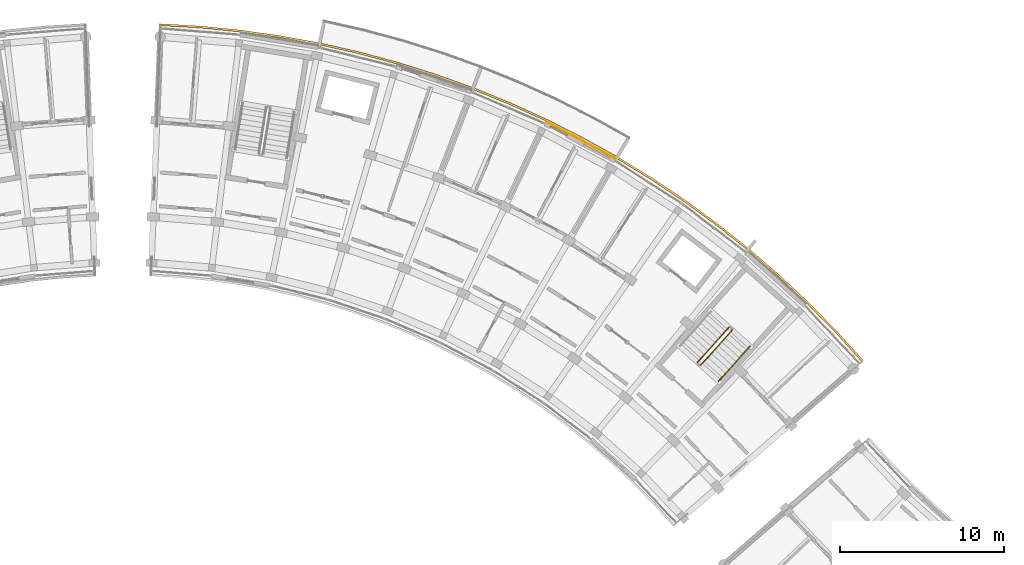
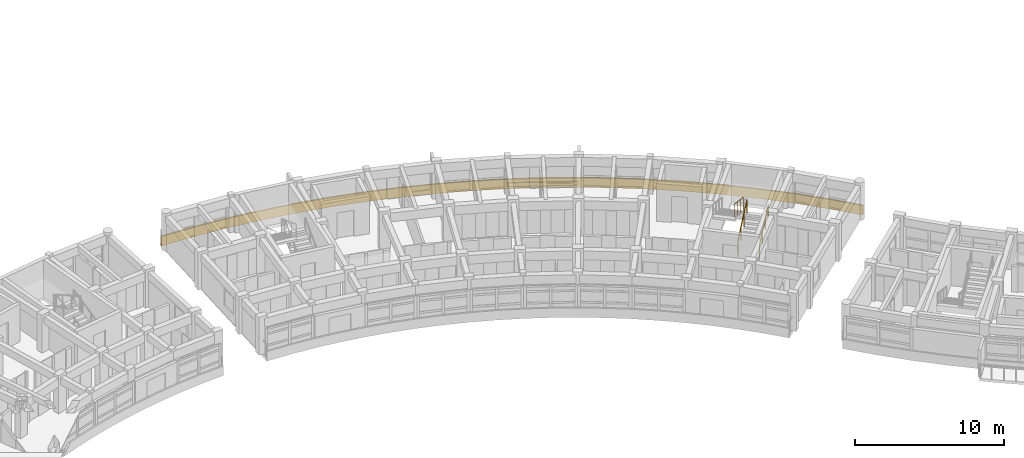
# One storey, part 49 of 50: 4 railings, 1 covering.
"""IFC4 building model written with IfcOpenShell, lengths in metres."""

from ifc_helpers import new_model, si_unit, direction, frame, origin, origin_2d, place, context, subcontext, project, spatial, polyline, rectangle, circle, outline, extrude, material, layer, layer_set, type_object, element, save


model = new_model("IFC4")

# Units and contexts
model_context = context("Model", 3, precision=1e-05, world=origin(), true_north=direction((0.0, 1.0)))
body_context = subcontext(model_context, "Body", "Model", "MODEL_VIEW")
ifc_project = project(units=[si_unit("LENGTHUNIT", "METRE"), si_unit("AREAUNIT", "SQUARE_METRE"), si_unit("VOLUMEUNIT", "CUBIC_METRE"), si_unit("PLANEANGLEUNIT", "RADIAN"), si_unit("MASSUNIT", "GRAM", prefix="KILO")], contexts=[model_context])

# Site, building, storey
site_placement = place(None, origin())
site = spatial("IfcSite", under=ifc_project, at=site_placement, CompositionType="ELEMENT")
building_placement = place(site_placement, origin())
building = spatial("IfcBuilding", under=site, at=building_placement, Name="Zimvara Arc Housing Community", CompositionType="ELEMENT")
storey_placement = place(building_placement, frame((0.0, 0.0, 26.699951171875)))
storey = spatial("IfcBuildingStorey", under=building, at=storey_placement, Name="L08", CompositionType="ELEMENT", Elevation=26.699951171875)

# Covering
ifc_material_1 = material(Name="Pale-Gold Anodised Aluminium Cladding", Category="aluminium")
ifc_layer = layer(ifc_material_1, 0.044921875)
ifc_layer_set = layer_set([ifc_layer], Name="Pale-Gold Anodised Aluminium Cladding")
covering_type = type_object("IfcCoveringType", Name="CLD-GOLD-02", PredefinedType="CLADDING", material=ifc_layer_set)
covering_placement = place(storey_placement, frame((72.86669921875, 97.04248046875, 0.01025390625), z_axis=(0.0, 0.0, 1.0), x_axis=(0.88343873811, -0.468546684981, 0.0)))
element("IfcCovering", 1, at=covering_placement, inside=storey, type_object=covering_type, Name="cld:blkB:L08:out:b5", PredefinedType="CLADDING", context=body_context, shape_type="SweptSolid", body=[
    extrude(rectangle(XDim=4.748779296875, YDim=0.044921875, at=origin_2d()), origin(), (0.0, 0.0, 1.0), 0.300048828125),
])

# Railings
ifc_material_2 = material(Name="Anodised Aluminium AW-6063", Category="aluminium")
railing_type_1 = type_object("IfcRailingType", Name="RLG-BAL-1120", PredefinedType="BALUSTRADE", material=ifc_material_2)
railing_1_placement = place(storey_placement, frame((80.1455078125, 83.365966796875, 0.155029296875)))
element("IfcRailing", 2, at=railing_1_placement, inside=storey, type_object=railing_type_1, Name="L08 ST-B2 stair guard 1", PredefinedType="BALUSTRADE", context=body_context, shape_type="SweptSolid", body=[
    extrude(circle(Radius=0.02392578125, at=origin_2d()), frame((0.0, 0.0, 1.09619140625), z_axis=(0.601231728384, 0.668248248038, 0.438137749775), x_axis=(-0.743400174344, 0.668846903847, 0.0)), (0.0, 0.0, 1.0), 3.18408203125),
    extrude(circle(Radius=0.02099609375, at=origin_2d()), origin(), (0.0, 0.0, 1.0), 1.072021484375),
    extrude(circle(Radius=0.02099609375, at=origin_2d()), frame((0.63818359375, 0.709228515625, 0.465087890625)), (0.0, 0.0, 1.0), 1.072021484375),
    extrude(circle(Radius=0.02099609375, at=origin_2d()), frame((1.276123046875, 1.41845703125, 0.929931640625)), (0.0, 0.0, 1.0), 1.072021484375),
    extrude(circle(Radius=0.02099609375, at=origin_2d()), frame((1.914306640625, 2.127685546875, 1.39501953125)), (0.0, 0.0, 1.0), 1.072021484375),
])
railing_2_placement = place(storey_placement, frame((81.866455078125, 85.66748046875, 1.705078125)))
element("IfcRailing", 3, at=railing_2_placement, inside=storey, type_object=railing_type_1, Name="L08 ST-B2 stair guard 3", PredefinedType="BALUSTRADE", context=body_context, shape_type="SweptSolid", body=[
    extrude(circle(Radius=0.02392578125, at=origin_2d()), frame((0.0, 0.0, 1.09619140625), z_axis=(-0.601262536038, -0.668205807809, 0.438160200347), x_axis=(0.743362010683, -0.668889319, 0.0)), (0.0, 0.0, 1.0), 3.183837890625),
    extrude(circle(Radius=0.02099609375, at=origin_2d()), origin(), (0.0, 0.0, 1.0), 1.072021484375),
    extrude(circle(Radius=0.02099609375, at=origin_2d()), frame((-0.63818359375, -0.709228515625, 0.465087890625)), (0.0, 0.0, 1.0), 1.072021484375),
    extrude(circle(Radius=0.02099609375, at=origin_2d()), frame((-1.276123046875, -1.418212890625, 0.929931640625)), (0.0, 0.0, 1.0), 1.072021484375),
    extrude(circle(Radius=0.02099609375, at=origin_2d()), frame((-1.914306640625, -2.12744140625, 1.39501953125)), (0.0, 0.0, 1.0), 1.072021484375),
])
ifc_material_3 = material(Name="Pale-Gold Anodised Aluminium AW-6063", Category="aluminium")
railing_type_2 = type_object("IfcRailingType", Name="RLG-FAS-780", PredefinedType="BALUSTRADE", material=ifc_material_3)
railing_3_placement = place(storey_placement, frame((0.0, 0.0, -0.219970703125)))
element("IfcRailing", 4, at=railing_3_placement, inside=storey, type_object=railing_type_2, Name="rlg:blkB:L08:gold_out", PredefinedType="BALUSTRADE", context=body_context, shape_type="SweptSolid", body=[
    extrude(outline(polyline([(47.286376953125, 104.01611328125), (49.71435546875, 103.873046875), (52.134765625, 103.631103515625), (54.54296875, 103.29052734375), (56.935546875, 102.851806640625), (59.307861328125, 102.31591796875), (61.65673828125, 101.68359375), (63.9775390625, 100.955810546875), (66.266845703125, 100.1337890625), (68.5205078125, 99.218994140625), (70.735107421875, 98.213134765625), (72.90673828125, 97.11767578125), (75.03173828125, 95.934326171875), (77.106689453125, 94.665283203125), (79.128173828125, 93.3125), (81.0927734375, 91.87841796875), (82.9970703125, 90.365234375), (84.837890625, 88.775634765625), (86.612548828125, 87.112060546875), (88.317626953125, 85.377685546875), (89.950439453125, 83.574951171875), (90.041015625, 83.653564453125), (88.40478515625, 85.4599609375), (86.6962890625, 87.197998046875), (84.918212890625, 88.86474609375), (83.073486328125, 90.457763671875), (81.165283203125, 91.973876953125), (79.197021484375, 93.410888671875), (77.17138671875, 94.766357421875), (75.09228515625, 96.037841796875), (72.962890625, 97.2236328125), (70.786865234375, 98.3212890625), (68.56787109375, 99.329345703125), (66.3095703125, 100.245849609375), (64.015625, 101.069580078125), (61.690185546875, 101.798583984375), (59.3369140625, 102.432373046875), (56.95947265625, 102.969482421875), (54.562255859375, 103.408935546875), (52.149169921875, 103.750244140625), (49.723876953125, 103.99267578125), (47.291015625, 104.135986328125), (47.286376953125, 104.01611328125)])), origin(), (0.0, 0.0, 1.0), 0.780029296875),
])
ifc_material_4 = material(Name="Anodised Aluminium AW-6063", Category="aluminium")
railing_type_3 = type_object("IfcRailingType", Name="RLG-HND-900", PredefinedType="HANDRAIL", material=ifc_material_4)
railing_4_placement = place(storey_placement, frame((81.230712890625, 82.389404296875, 0.155029296875)))
element("IfcRailing", 5, at=railing_4_placement, inside=storey, type_object=railing_type_3, Name="L08 ST-B2 stair handrail 1", PredefinedType="HANDRAIL", context=body_context, shape_type="SweptSolid", body=[
    extrude(circle(Radius=0.02392578125, at=origin_2d()), frame((0.0, 0.0, 0.8759765625), z_axis=(0.601231728384, 0.668248248038, 0.438137749775), x_axis=(-0.743400174344, 0.668846903847, 0.0)), (0.0, 0.0, 1.0), 3.18408203125),
    extrude(circle(Radius=0.02099609375, at=origin_2d()), origin(), (0.0, 0.0, 1.0), 0.851806640625),
    extrude(circle(Radius=0.02099609375, at=origin_2d()), frame((0.63818359375, 0.709228515625, 0.465087890625)), (0.0, 0.0, 1.0), 0.851806640625),
    extrude(circle(Radius=0.02099609375, at=origin_2d()), frame((1.276123046875, 1.41845703125, 0.929931640625)), (0.0, 0.0, 1.0), 0.851806640625),
    extrude(circle(Radius=0.02099609375, at=origin_2d()), frame((1.914306640625, 2.127685546875, 1.39501953125)), (0.0, 0.0, 1.0), 0.851806640625),
])

save(model, "model.ifc")
